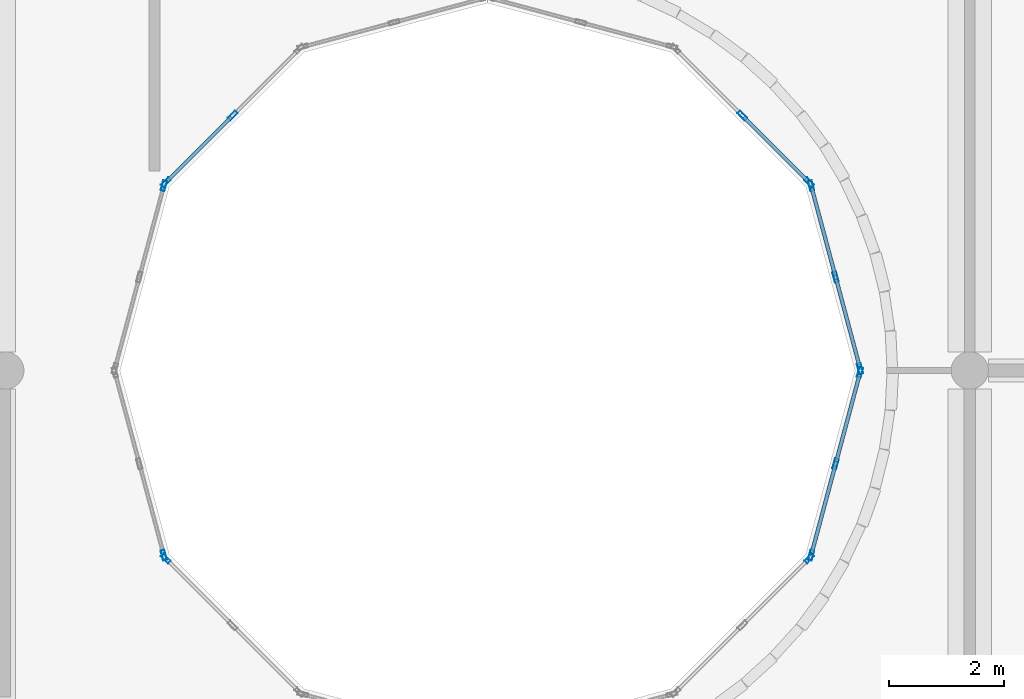
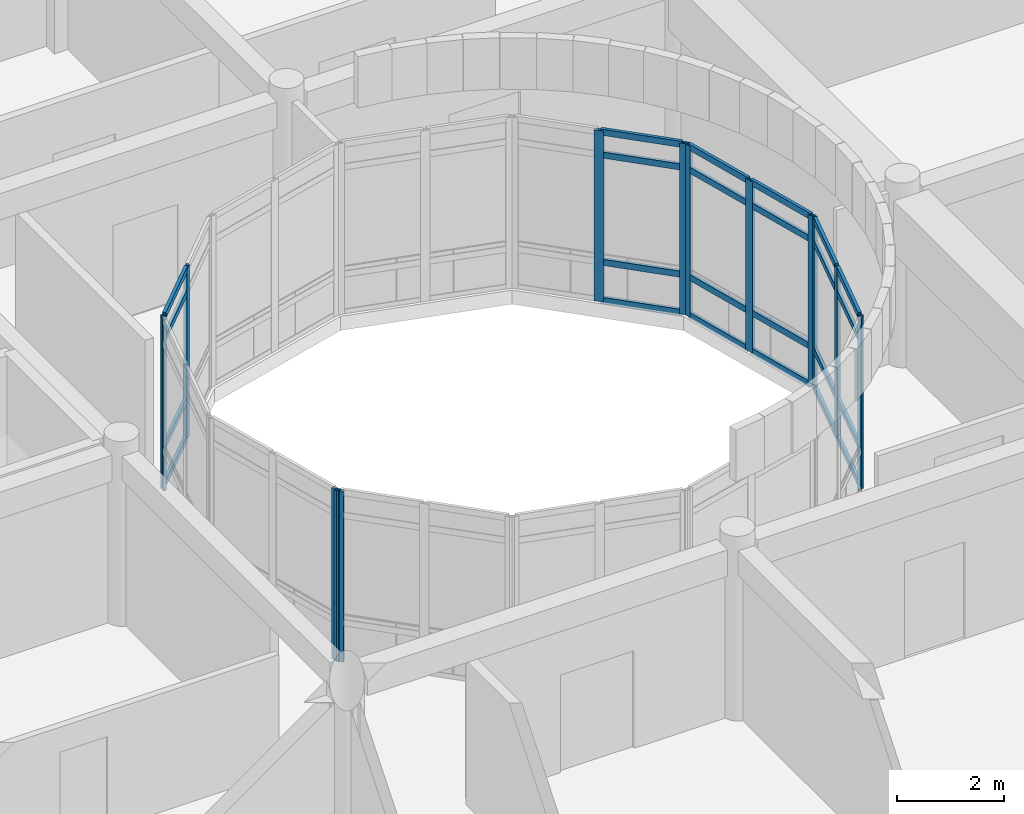
# One storey, part 39 of 119: 38 members, 8 elements without a shape of their own.
"""IFC4 building model written with IfcOpenShell, lengths in metres."""

import ifcopenshell
import ifcopenshell.guid

model = None  # the IFC model being written
_history = None  # IfcOwnerHistory: only IFC2X3 demands one
_inside = {}  # id of a spatial element -> (the spatial element, [elements in it])
_under = {}  # id of a project, library or spatial element -> (it, [spatial elements below it])
_declared = {}  # id of a project -> (the project, [libraries it declares])
_typed = {}  # id of a type object -> (the type object, [elements of that type])
_made_of = {}  # id of a material, layer set ... -> (it, [elements and type objects made of it])


def new_model(schema):
    """Start an empty IFC model of exactly this schema.

    Asked for "IFC4X3", IfcOpenShell would pick the latest addendum, in which some entities
    have other attributes; the version numbers below select the first issue.
    IFC2X3 requires an IfcOwnerHistory on every rooted entity: one is made here for all.
    """
    global model, _history
    if schema == "IFC4X3":
        model = ifcopenshell.file(schema_version=(4, 3, 0, 0))
    else:
        model = ifcopenshell.file(schema=schema)
    _inside.clear()
    _under.clear()
    _declared.clear()
    _typed.clear()
    _made_of.clear()
    _history = None
    if model.schema == "IFC2X3":
        org = make("IfcOrganization", Name="unknown")
        user = make(
            "IfcPersonAndOrganization",
            ThePerson=make("IfcPerson", FamilyName="unknown"),
            TheOrganization=org,
        )
        app = make(
            "IfcApplication",
            ApplicationDeveloper=org,
            Version="unknown",
            ApplicationFullName="unknown",
            ApplicationIdentifier="unknown",
        )
        _history = make(
            "IfcOwnerHistory",
            OwningUser=user,
            OwningApplication=app,
            ChangeAction="ADDED",
            CreationDate=0,
        )
    return model


def make(cls, **values):
    """One entity of the class cls with the attributes given. An attribute that is None is left unset."""
    return model.create_entity(
        cls, **{name: value for name, value in values.items() if value is not None}
    )


def rooted(cls, **values):
    """An entity with a GlobalId (a new one), such as an element, a storey or a relation."""
    return make(cls, GlobalId=ifcopenshell.guid.new(), OwnerHistory=_history, **values)


def si_unit(unit_type, name, prefix=None):
    """IfcSIUnit, for example si_unit("LENGTHUNIT", "METRE", prefix="MILLI")."""
    return make("IfcSIUnit", UnitType=unit_type, Prefix=prefix, Name=name)


def assignment(units):
    """IfcUnitAssignment: the units of a project."""
    return None if units is None else make("IfcUnitAssignment", Units=units)


def point(xyz):
    """IfcCartesianPoint."""
    return None if xyz is None else make("IfcCartesianPoint", Coordinates=xyz)


def direction(xyz):
    """IfcDirection."""
    return None if xyz is None else make("IfcDirection", DirectionRatios=xyz)


def frame(location, z_axis=None, x_axis=None):
    """IfcAxis2Placement3D, a coordinate frame: its origin and axes. An axis left out is left unset."""
    return make(
        "IfcAxis2Placement3D",
        Location=point(location),
        Axis=direction(z_axis),
        RefDirection=direction(x_axis),
    )


def frame_2d(location, x_axis=None):
    """IfcAxis2Placement2D, a coordinate frame in the plane: its origin and x axis."""
    return make(
        "IfcAxis2Placement2D", Location=point(location), RefDirection=direction(x_axis)
    )


def origin():
    """The frame at (0, 0, 0) with its axes left unset."""
    return frame((0.0, 0.0, 0.0))


def origin_2d():
    """The frame at (0, 0) in the plane with its x axis left unset."""
    return frame_2d((0.0, 0.0))


def place(relative_to, where):
    """IfcLocalPlacement: puts the frame where relative to a parent placement (None: the world)."""
    return make(
        "IfcLocalPlacement", PlacementRelTo=relative_to, RelativePlacement=where
    )


def context(
    kind, dimensions, precision=None, world=None, true_north=None, identifier=None
):
    """IfcGeometricRepresentationContext, for example the 3D "Model" context."""
    return make(
        "IfcGeometricRepresentationContext",
        ContextIdentifier=identifier,
        ContextType=kind,
        CoordinateSpaceDimension=dimensions,
        Precision=precision,
        WorldCoordinateSystem=world,
        TrueNorth=true_north,
    )


def subcontext(parent, identifier, kind, view, scale=None):
    """IfcGeometricRepresentationSubContext, for example "Body" below "Model"."""
    return make(
        "IfcGeometricRepresentationSubContext",
        ContextIdentifier=identifier,
        ContextType=kind,
        ParentContext=parent,
        TargetScale=scale,
        TargetView=view,
    )


def project(units=None, contexts=None):
    """IfcProject with its units and contexts."""
    return rooted(
        "IfcProject",
        Name="project",
        RepresentationContexts=contexts,
        UnitsInContext=assignment(units),
    )


def spatial(cls, under=None, at=None, **own):
    """A site, building, storey or space (cls), placed at a placement, below another one or the project."""
    s = rooted(cls, ObjectPlacement=at, **own)
    if under is not None:
        _under.setdefault(under.id(), (under, []))[1].append(s)
    return s


def profile(cls, at=None, kind="AREA", **sizes):
    """A parametric profile (cls). Its sizes go by their IFC names, for example OverallWidth=200.0."""
    return make(cls, ProfileType=kind, Position=at, **sizes)


def hollow_rectangle(**sizes):
    """IfcRectangleHollowProfileDef."""
    return profile("IfcRectangleHollowProfileDef", **sizes)


def extrude(swept, where, along, depth):
    """IfcExtrudedAreaSolid: the profile swept, set in the frame where, extruded along a direction by depth."""
    return make(
        "IfcExtrudedAreaSolid",
        SweptArea=swept,
        Position=where,
        ExtrudedDirection=direction(along),
        Depth=depth,
    )


def shape(context_of_items, identifier, shape_type, items):
    """IfcShapeRepresentation: the items that make up one representation, for example the "Body"."""
    return make(
        "IfcShapeRepresentation",
        ContextOfItems=context_of_items,
        RepresentationIdentifier=identifier,
        RepresentationType=shape_type,
        Items=items,
    )


def material(Name=None, Category=None):
    """IfcMaterial."""
    return make("IfcMaterial", Name=Name, Category=Category)


def layer(
    of_material, thickness, ventilated=None, Name=None, Category=None, Priority=None
):
    """IfcMaterialLayer: one layer of a wall or slab, of a material (None: an air gap)."""
    return make(
        "IfcMaterialLayer",
        Material=of_material,
        LayerThickness=thickness,
        IsVentilated=ventilated,
        Name=Name,
        Category=Category,
        Priority=Priority,
    )


def layer_set(layers, Name=None):
    """IfcMaterialLayerSet."""
    return make("IfcMaterialLayerSet", MaterialLayers=layers, LayerSetName=Name)


def material_profile(
    of_material, cross_section, Name=None, Category=None, Priority=None
):
    """IfcMaterialProfile: a cross section and its material."""
    return make(
        "IfcMaterialProfile",
        Name=Name,
        Material=of_material,
        Profile=cross_section,
        Priority=Priority,
        Category=Category,
    )


def profile_set(profiles, Name=None, composite=None):
    """IfcMaterialProfileSet."""
    return make(
        "IfcMaterialProfileSet",
        Name=Name,
        MaterialProfiles=profiles,
        CompositeProfile=composite,
    )


def made_of(thing, what):
    """Note that an element or type object is made of a material, layer set ...; save() writes the relation."""
    if what is not None:
        _made_of.setdefault(what.id(), (what, []))[1].append(thing)
    return thing


def type_object(cls, material=None, **own):
    """A type object (cls), such as IfcWallType, which elements share."""
    return made_of(rooted(cls, **own), material)


def element(
    cls,
    number,
    at=None,
    inside=None,
    cuts=None,
    type_object=None,
    material=None,
    context=None,
    identifier="Body",
    shape_type=None,
    held_by="IfcProductDefinitionShape",
    body=None,
    shapes=None,
    **own,
):
    """One element of the class cls, such as IfcWall. Its Tag is "e" and its number.

    at: its placement. inside: the storey or other place that contains it. cuts: it is an
    opening in that element (IfcRelVoidsElement). A single representation is given by context,
    identifier, shape_type and body (its items); several are given by shapes. held_by: the class
    of the entity that holds the representations. save() writes the other relations.
    """
    e = rooted(cls, Tag="e%d" % number, ObjectPlacement=at, **own)
    if body is not None:
        shapes = [shape(context, identifier, shape_type, body)]
    if shapes is not None:
        e.Representation = make(held_by, Representations=shapes)
    if inside is not None:
        _inside.setdefault(inside.id(), (inside, []))[1].append(e)
    if cuts is not None:
        rooted(
            "IfcRelVoidsElement", RelatingBuildingElement=cuts, RelatedOpeningElement=e
        )
    if type_object is not None:
        _typed.setdefault(type_object.id(), (type_object, []))[1].append(e)
    return made_of(e, material)


def aggregate(whole, parts):
    """IfcRelAggregates: a whole, such as a stair, and the parts it consists of."""
    return rooted("IfcRelAggregates", RelatingObject=whole, RelatedObjects=parts)


def save(model, path):
    """Write the relations noted so far, then the file.

    IfcRelAggregates (storeys below a building ...), IfcRelContainedInSpatialStructure (elements
    in a storey), IfcRelDefinesByType, IfcRelAssociatesMaterial and IfcRelDeclares: one each for
    every whole, place, type object, material and project.
    """
    for whole, parts in _under.values():
        aggregate(whole, parts)
    for where, things in _inside.values():
        rooted(
            "IfcRelContainedInSpatialStructure",
            RelatedElements=things,
            RelatingStructure=where,
        )
    for kind, things in _typed.values():
        rooted("IfcRelDefinesByType", RelatedObjects=things, RelatingType=kind)
    for what, things in _made_of.values():
        rooted("IfcRelAssociatesMaterial", RelatedObjects=things, RelatingMaterial=what)
    for by, libraries in _declared.values():
        rooted("IfcRelDeclares", RelatingContext=by, RelatedDefinitions=libraries)
    model.write(path)


model = new_model("IFC4")

# Units and contexts
model_context = context("Model", 3, precision=1e-05, world=origin(), true_north=direction((0.0, 1.0)))
body_context = subcontext(model_context, "Body", "Model", "MODEL_VIEW")
ifc_project = project(units=[si_unit("LENGTHUNIT", "METRE"), si_unit("AREAUNIT", "SQUARE_METRE"), si_unit("VOLUMEUNIT", "CUBIC_METRE"), si_unit("PLANEANGLEUNIT", "RADIAN"), si_unit("MASSUNIT", "GRAM", prefix="KILO")], contexts=[model_context])

# Site, building, storey
site_placement = place(None, origin())
site = spatial("IfcSite", under=ifc_project, at=site_placement, CompositionType="ELEMENT")
building_placement = place(site_placement, origin())
building = spatial("IfcBuilding", under=site, at=building_placement, Name="Bramfleet General Hospital", CompositionType="ELEMENT")
storey_placement = place(building_placement, frame((0.0, 0.0, 14.39990234375)))
storey = spatial("IfcBuildingStorey", under=building, at=storey_placement, Name="L03", CompositionType="ELEMENT", Elevation=14.39990234375)

# Curtain wall, member
ifc_material_1 = material(Name="Anodised aluminium and low-E triple glazing", Category="aluminium")
ifc_layer_1 = layer(ifc_material_1, 0.179931640625, Name="CWT-CW-17")
ifc_layer_set_1 = layer_set([ifc_layer_1], Name="Anodised aluminium and low-E triple glazing")
curtain_wall_type_1 = type_object("IfcCurtainWallType", Name="CWT-CW-17", PredefinedType="USERDEFINED", material=ifc_layer_set_1)
curtain_wall_1_placement = place(storey_placement, origin())
curtain_wall_1 = element("IfcCurtainWall", 1, at=curtain_wall_1_placement, inside=storey, type_object=curtain_wall_type_1, Name="L03 East Laboratory Light Court Curtain Wall 1.1", ObjectType="Stick curtain wall", PredefinedType="USERDEFINED")
ifc_material_2 = material(Name="Anodised aluminium EN AW-6060", Category="aluminium")
ifc_material_profile_1 = material_profile(ifc_material_2, hollow_rectangle(XDim=0.070068359375, YDim=0.179931640625, WallThickness=0.00390625, at=origin_2d()), Name="ALU 180x70x4.0")
ifc_profile_set_1 = profile_set([ifc_material_profile_1], Name="Anodised aluminium EN AW-6060")
member_type_1 = type_object("IfcMemberType", Name="CWM-ALU180", PredefinedType="MULLION", material=ifc_profile_set_1)
member_1_placement = place(storey_placement, frame((111.9619140625, 63.98388671875, 0.0), z_axis=(0.0, 0.0, 1.0), x_axis=(0.965913556273, 0.258864833085, 0.0)))
member_1 = element("IfcMember", 2, at=member_1_placement, type_object=member_type_1, Name="CW-17 mullion 3", PredefinedType="MULLION", context=body_context, shape_type="SweptSolid", body=[
    extrude(hollow_rectangle(XDim=0.070068359375, YDim=0.179931640625, WallThickness=0.00390625, at=origin_2d()), origin(), (0.0, 0.0, 1.0), 3.89013671875),
])
aggregate(curtain_wall_1, [member_1])

ifc_layer_2 = layer(ifc_material_1, 0.179931640625, Name="CWT-CW-18")
ifc_layer_set_2 = layer_set([ifc_layer_2], Name="Anodised aluminium and low-E triple glazing")
curtain_wall_type_2 = type_object("IfcCurtainWallType", Name="CWT-CW-18", PredefinedType="USERDEFINED", material=ifc_layer_set_2)
curtain_wall_2_placement = place(storey_placement, origin())
curtain_wall_2 = element("IfcCurtainWall", 3, at=curtain_wall_2_placement, inside=storey, type_object=curtain_wall_type_2, Name="L03 East Laboratory Light Court Curtain Wall 2.1", ObjectType="Stick curtain wall", PredefinedType="USERDEFINED")
member_2_placement = place(storey_placement, frame((111.995849609375, 63.92529296875, 0.0), z_axis=(0.0, 0.0, 1.0), x_axis=(0.707106781187, 0.707106781187, 0.0)))
member_2 = element("IfcMember", 4, at=member_2_placement, type_object=member_type_1, Name="CW-18 mullion 1", PredefinedType="MULLION", context=body_context, shape_type="SweptSolid", body=[
    extrude(hollow_rectangle(XDim=0.070068359375, YDim=0.179931640625, WallThickness=0.00390625, at=origin_2d()), origin(), (0.0, 0.0, 1.0), 3.89013671875),
])
aggregate(curtain_wall_2, [member_2])

ifc_layer_3 = layer(ifc_material_1, 0.179931640625, Name="CWT-CW-13")
ifc_layer_set_3 = layer_set([ifc_layer_3], Name="Anodised aluminium and low-E triple glazing")
curtain_wall_type_3 = type_object("IfcCurtainWallType", Name="CWT-CW-13", PredefinedType="USERDEFINED", material=ifc_layer_set_3)
curtain_wall_3_placement = place(storey_placement, origin())
curtain_wall_3 = element("IfcCurtainWall", 5, at=curtain_wall_3_placement, inside=storey, type_object=curtain_wall_type_3, Name="L03 East Laboratory Light Court Curtain Wall 5.1", ObjectType="Stick curtain wall", PredefinedType="USERDEFINED")
member_3_placement = place(storey_placement, frame((123.204345703125, 63.92529296875, 0.0), z_axis=(0.0, 0.0, 1.0), x_axis=(-0.707106781187, 0.707106781187, 0.0)))
member_3 = element("IfcMember", 6, at=member_3_placement, type_object=member_type_1, Name="CW-13 mullion 3", PredefinedType="MULLION", context=body_context, shape_type="SweptSolid", body=[
    extrude(hollow_rectangle(XDim=0.070068359375, YDim=0.179931640625, WallThickness=0.00390625, at=origin_2d()), origin(), (0.0, 0.0, 1.0), 3.89013671875),
])
aggregate(curtain_wall_3, [member_3])

# Curtain wall, members
ifc_layer_4 = layer(ifc_material_1, 0.179931640625, Name="CWT-CW-14")
ifc_layer_set_4 = layer_set([ifc_layer_4], Name="Anodised aluminium and low-E triple glazing")
curtain_wall_type_4 = type_object("IfcCurtainWallType", Name="CWT-CW-14", PredefinedType="USERDEFINED", material=ifc_layer_set_4)
curtain_wall_4_placement = place(storey_placement, origin())
curtain_wall_4 = element("IfcCurtainWall", 7, at=curtain_wall_4_placement, inside=storey, type_object=curtain_wall_type_4, Name="L03 East Laboratory Light Court Curtain Wall 6.1", ObjectType="Stick curtain wall", PredefinedType="USERDEFINED")
member_4_placement = place(storey_placement, frame((123.238037109375, 63.98388671875, 0.0), z_axis=(0.0, 0.0, 1.0), x_axis=(-0.965913556273, 0.258864833085, 0.0)))
member_4 = element("IfcMember", 8, at=member_4_placement, type_object=member_type_1, Name="CW-14 mullion 1", PredefinedType="MULLION", context=body_context, shape_type="SweptSolid", body=[
    extrude(hollow_rectangle(XDim=0.070068359375, YDim=0.179931640625, WallThickness=0.00390625, at=origin_2d()), origin(), (0.0, 0.0, 1.0), 3.89013671875),
])
member_5_placement = place(storey_placement, frame((123.66455078125, 65.574951171875, 0.0), z_axis=(0.0, 0.0, 1.0), x_axis=(-0.965913556273, 0.258864833085, 0.0)))
member_5 = element("IfcMember", 9, at=member_5_placement, type_object=member_type_1, Name="CW-14 mullion 2", PredefinedType="MULLION", context=body_context, shape_type="SweptSolid", body=[
    extrude(hollow_rectangle(XDim=0.070068359375, YDim=0.179931640625, WallThickness=0.00390625, at=origin_2d()), origin(), (0.0, 0.0, 1.0), 3.89013671875),
])
member_6_placement = place(storey_placement, frame((124.0908203125, 67.166259765625, 0.0), z_axis=(0.0, 0.0, 1.0), x_axis=(-0.965913556273, 0.258864833085, 0.0)))
member_6 = element("IfcMember", 10, at=member_6_placement, type_object=member_type_1, Name="CW-14 mullion 3", PredefinedType="MULLION", context=body_context, shape_type="SweptSolid", body=[
    extrude(hollow_rectangle(XDim=0.070068359375, YDim=0.179931640625, WallThickness=0.00390625, at=origin_2d()), origin(), (0.0, 0.0, 1.0), 3.89013671875),
])

ifc_layer_5 = layer(ifc_material_1, 0.179931640625, Name="CWT-CW-15")
ifc_layer_set_5 = layer_set([ifc_layer_5], Name="Anodised aluminium and low-E triple glazing")
curtain_wall_type_5 = type_object("IfcCurtainWallType", Name="CWT-CW-15", PredefinedType="USERDEFINED", material=ifc_layer_set_5)
curtain_wall_5_placement = place(storey_placement, origin())
curtain_wall_5 = element("IfcCurtainWall", 11, at=curtain_wall_5_placement, inside=storey, type_object=curtain_wall_type_5, Name="L03 East Laboratory Light Court Curtain Wall 7.1", ObjectType="Stick curtain wall", PredefinedType="USERDEFINED")
member_7_placement = place(storey_placement, frame((124.0908203125, 67.23388671875, 0.0), z_axis=(0.0, 0.0, 1.0), x_axis=(-0.965913556273, -0.258864833085, 0.0)))
member_7 = element("IfcMember", 12, at=member_7_placement, type_object=member_type_1, Name="CW-15 mullion 1", PredefinedType="MULLION", context=body_context, shape_type="SweptSolid", body=[
    extrude(hollow_rectangle(XDim=0.070068359375, YDim=0.179931640625, WallThickness=0.00390625, at=origin_2d()), origin(), (0.0, 0.0, 1.0), 3.89013671875),
])
member_8_placement = place(storey_placement, frame((123.66455078125, 68.824951171875, 0.0), z_axis=(0.0, 0.0, 1.0), x_axis=(-0.965913556273, -0.258864833085, 0.0)))
member_8 = element("IfcMember", 13, at=member_8_placement, type_object=member_type_1, Name="CW-15 mullion 2", PredefinedType="MULLION", context=body_context, shape_type="SweptSolid", body=[
    extrude(hollow_rectangle(XDim=0.070068359375, YDim=0.179931640625, WallThickness=0.00390625, at=origin_2d()), origin(), (0.0, 0.0, 1.0), 3.89013671875),
])
member_9_placement = place(storey_placement, frame((123.238037109375, 70.416259765625, 0.0), z_axis=(0.0, 0.0, 1.0), x_axis=(-0.965913556273, -0.258864833085, 0.0)))
member_9 = element("IfcMember", 14, at=member_9_placement, type_object=member_type_1, Name="CW-15 mullion 3", PredefinedType="MULLION", context=body_context, shape_type="SweptSolid", body=[
    extrude(hollow_rectangle(XDim=0.070068359375, YDim=0.179931640625, WallThickness=0.00390625, at=origin_2d()), origin(), (0.0, 0.0, 1.0), 3.89013671875),
])

ifc_layer_6 = layer(ifc_material_1, 0.179931640625, Name="CWT-CW-16")
ifc_layer_set_6 = layer_set([ifc_layer_6], Name="Anodised aluminium and low-E triple glazing")
curtain_wall_type_6 = type_object("IfcCurtainWallType", Name="CWT-CW-16", PredefinedType="USERDEFINED", material=ifc_layer_set_6)
curtain_wall_6_placement = place(storey_placement, origin())
curtain_wall_6 = element("IfcCurtainWall", 15, at=curtain_wall_6_placement, inside=storey, type_object=curtain_wall_type_6, Name="L03 East Laboratory Light Court Curtain Wall 8.1", ObjectType="Stick curtain wall", PredefinedType="USERDEFINED")
member_10_placement = place(storey_placement, frame((123.204345703125, 70.474853515625, 0.0), z_axis=(0.0, 0.0, 1.0), x_axis=(-0.707106781187, -0.707106781187, 0.0)))
member_10 = element("IfcMember", 16, at=member_10_placement, type_object=member_type_1, Name="CW-16 mullion 1", PredefinedType="MULLION", context=body_context, shape_type="SweptSolid", body=[
    extrude(hollow_rectangle(XDim=0.070068359375, YDim=0.179931640625, WallThickness=0.00390625, at=origin_2d()), origin(), (0.0, 0.0, 1.0), 3.89013671875),
])
member_11_placement = place(storey_placement, frame((122.03955078125, 71.639404296875, 0.0), z_axis=(0.0, 0.0, 1.0), x_axis=(-0.707106781187, -0.707106781187, 0.0)))
member_11 = element("IfcMember", 17, at=member_11_placement, type_object=member_type_1, Name="CW-16 mullion 2", PredefinedType="MULLION", context=body_context, shape_type="SweptSolid", body=[
    extrude(hollow_rectangle(XDim=0.070068359375, YDim=0.179931640625, WallThickness=0.00390625, at=origin_2d()), origin(), (0.0, 0.0, 1.0), 3.89013671875),
])

ifc_layer_7 = layer(ifc_material_1, 0.179931640625, Name="CWT-CW-11")
ifc_layer_set_7 = layer_set([ifc_layer_7], Name="Anodised aluminium and low-E triple glazing")
curtain_wall_type_7 = type_object("IfcCurtainWallType", Name="CWT-CW-11", PredefinedType="USERDEFINED", material=ifc_layer_set_7)
curtain_wall_7_placement = place(storey_placement, origin())
curtain_wall_7 = element("IfcCurtainWall", 18, at=curtain_wall_7_placement, inside=storey, type_object=curtain_wall_type_7, Name="L03 East Laboratory Light Court Curtain Wall 11.1", ObjectType="Stick curtain wall", PredefinedType="USERDEFINED")
member_12_placement = place(storey_placement, frame((113.160400390625, 71.639404296875, 0.0), z_axis=(0.0, 0.0, 1.0), x_axis=(0.707106781187, -0.707106781187, 0.0)))
member_12 = element("IfcMember", 19, at=member_12_placement, type_object=member_type_1, Name="CW-11 mullion 2", PredefinedType="MULLION", context=body_context, shape_type="SweptSolid", body=[
    extrude(hollow_rectangle(XDim=0.070068359375, YDim=0.179931640625, WallThickness=0.00390625, at=origin_2d()), origin(), (0.0, 0.0, 1.0), 3.89013671875),
])
member_13_placement = place(storey_placement, frame((111.995849609375, 70.474853515625, 0.0), z_axis=(0.0, 0.0, 1.0), x_axis=(0.707106781187, -0.707106781187, 0.0)))
member_13 = element("IfcMember", 20, at=member_13_placement, type_object=member_type_1, Name="CW-11 mullion 3", PredefinedType="MULLION", context=body_context, shape_type="SweptSolid", body=[
    extrude(hollow_rectangle(XDim=0.070068359375, YDim=0.179931640625, WallThickness=0.00390625, at=origin_2d()), origin(), (0.0, 0.0, 1.0), 3.89013671875),
])

# Curtain wall, member
ifc_layer_8 = layer(ifc_material_1, 0.179931640625, Name="CWT-CW-12")
ifc_layer_set_8 = layer_set([ifc_layer_8], Name="Anodised aluminium and low-E triple glazing")
curtain_wall_type_8 = type_object("IfcCurtainWallType", Name="CWT-CW-12", PredefinedType="USERDEFINED", material=ifc_layer_set_8)
curtain_wall_8_placement = place(storey_placement, origin())
curtain_wall_8 = element("IfcCurtainWall", 21, at=curtain_wall_8_placement, inside=storey, type_object=curtain_wall_type_8, Name="L03 East Laboratory Light Court Curtain Wall 12.1", ObjectType="Stick curtain wall", PredefinedType="USERDEFINED")
member_14_placement = place(storey_placement, frame((111.9619140625, 70.416259765625, 0.0), z_axis=(0.0, 0.0, 1.0), x_axis=(0.965913556273, -0.258864833085, 0.0)))
member_14 = element("IfcMember", 22, at=member_14_placement, type_object=member_type_1, Name="CW-12 mullion 1", PredefinedType="MULLION", context=body_context, shape_type="SweptSolid", body=[
    extrude(hollow_rectangle(XDim=0.070068359375, YDim=0.179931640625, WallThickness=0.00390625, at=origin_2d()), origin(), (0.0, 0.0, 1.0), 3.89013671875),
])
aggregate(curtain_wall_8, [member_14])

# Member
ifc_material_profile_2 = material_profile(ifc_material_2, hollow_rectangle(XDim=0.06494140625, YDim=0.139892578125, WallThickness=0.00390625, at=origin_2d()), Name="ALU 140x65x4.0")
ifc_profile_set_2 = profile_set([ifc_material_profile_2], Name="Anodised aluminium EN AW-6060")
member_type_2 = type_object("IfcMemberType", Name="CWT-ALU140", PredefinedType="USERDEFINED", material=ifc_profile_set_2)
member_15_placement = place(storey_placement, frame((123.2470703125, 64.017578125, 0.03271484375), z_axis=(0.258924323505, 0.965897610877, 0.0), x_axis=(-0.965897610877, 0.258924323505, 0.0)))
member_15 = element("IfcMember", 23, at=member_15_placement, type_object=member_type_2, Name="CW-14 transom 1.1", ObjectType="TRANSOM", PredefinedType="USERDEFINED", context=body_context, shape_type="SweptSolid", body=[
    extrude(hollow_rectangle(XDim=0.06494140625, YDim=0.139892578125, WallThickness=0.00390625, at=origin_2d()), origin(), (0.0, 0.0, 1.0), 1.577392578125),
])

member_16_placement = place(storey_placement, frame((123.2470703125, 64.017578125, 0.900146484375), z_axis=(0.258924323505, 0.965897610877, 0.0), x_axis=(-0.965897610877, 0.258924323505, 0.0)))
member_16 = element("IfcMember", 24, at=member_16_placement, type_object=member_type_2, Name="CW-14 transom 1.2", ObjectType="TRANSOM", PredefinedType="USERDEFINED", context=body_context, shape_type="SweptSolid", body=[
    extrude(hollow_rectangle(XDim=0.06494140625, YDim=0.139892578125, WallThickness=0.00390625, at=origin_2d()), origin(), (0.0, 0.0, 1.0), 1.577392578125),
])

member_17_placement = place(storey_placement, frame((123.2470703125, 64.017578125, 3.340087890625), z_axis=(0.258924323505, 0.965897610877, 0.0), x_axis=(-0.965897610877, 0.258924323505, 0.0)))
member_17 = element("IfcMember", 25, at=member_17_placement, type_object=member_type_2, Name="CW-14 transom 1.3", ObjectType="TRANSOM", PredefinedType="USERDEFINED", context=body_context, shape_type="SweptSolid", body=[
    extrude(hollow_rectangle(XDim=0.06494140625, YDim=0.139892578125, WallThickness=0.00390625, at=origin_2d()), origin(), (0.0, 0.0, 1.0), 1.577392578125),
])

member_18_placement = place(storey_placement, frame((123.2470703125, 64.017578125, 3.857666015625), z_axis=(0.258924323505, 0.965897610877, 0.0), x_axis=(-0.965897610877, 0.258924323505, 0.0)))
member_18 = element("IfcMember", 26, at=member_18_placement, type_object=member_type_2, Name="CW-14 transom 1.4", ObjectType="TRANSOM", PredefinedType="USERDEFINED", context=body_context, shape_type="SweptSolid", body=[
    extrude(hollow_rectangle(XDim=0.06494140625, YDim=0.139892578125, WallThickness=0.00390625, at=origin_2d()), origin(), (0.0, 0.0, 1.0), 1.577392578125),
])

member_19_placement = place(storey_placement, frame((123.673583984375, 65.60888671875, 0.03271484375), z_axis=(0.258818617489, 0.965925940868, 0.0), x_axis=(-0.965925940868, 0.258818617489, 0.0)))
member_19 = element("IfcMember", 27, at=member_19_placement, type_object=member_type_2, Name="CW-14 transom 2.1", ObjectType="TRANSOM", PredefinedType="USERDEFINED", context=body_context, shape_type="SweptSolid", body=[
    extrude(hollow_rectangle(XDim=0.06494140625, YDim=0.139892578125, WallThickness=0.00390625, at=origin_2d()), origin(), (0.0, 0.0, 1.0), 1.5771484375),
])

member_20_placement = place(storey_placement, frame((123.673583984375, 65.60888671875, 0.900146484375), z_axis=(0.258818617489, 0.965925940868, 0.0), x_axis=(-0.965925940868, 0.258818617489, 0.0)))
member_20 = element("IfcMember", 28, at=member_20_placement, type_object=member_type_2, Name="CW-14 transom 2.2", ObjectType="TRANSOM", PredefinedType="USERDEFINED", context=body_context, shape_type="SweptSolid", body=[
    extrude(hollow_rectangle(XDim=0.06494140625, YDim=0.139892578125, WallThickness=0.00390625, at=origin_2d()), origin(), (0.0, 0.0, 1.0), 1.5771484375),
])

member_21_placement = place(storey_placement, frame((123.673583984375, 65.60888671875, 3.340087890625), z_axis=(0.258818617489, 0.965925940868, 0.0), x_axis=(-0.965925940868, 0.258818617489, 0.0)))
member_21 = element("IfcMember", 29, at=member_21_placement, type_object=member_type_2, Name="CW-14 transom 2.3", ObjectType="TRANSOM", PredefinedType="USERDEFINED", context=body_context, shape_type="SweptSolid", body=[
    extrude(hollow_rectangle(XDim=0.06494140625, YDim=0.139892578125, WallThickness=0.00390625, at=origin_2d()), origin(), (0.0, 0.0, 1.0), 1.5771484375),
])

member_22_placement = place(storey_placement, frame((123.673583984375, 65.60888671875, 3.857666015625), z_axis=(0.258818617489, 0.965925940868, 0.0), x_axis=(-0.965925940868, 0.258818617489, 0.0)))
member_22 = element("IfcMember", 30, at=member_22_placement, type_object=member_type_2, Name="CW-14 transom 2.4", ObjectType="TRANSOM", PredefinedType="USERDEFINED", context=body_context, shape_type="SweptSolid", body=[
    extrude(hollow_rectangle(XDim=0.06494140625, YDim=0.139892578125, WallThickness=0.00390625, at=origin_2d()), origin(), (0.0, 0.0, 1.0), 1.5771484375),
])

aggregate(curtain_wall_4, [member_4, member_5, member_6, member_15, member_16, member_17, member_18, member_19, member_20, member_21, member_22])

member_23_placement = place(storey_placement, frame((124.081787109375, 67.267578125, 0.03271484375), z_axis=(-0.25877992417, 0.965936307862, 0.0), x_axis=(-0.965936307862, -0.25877992417, 0.0)))
member_23 = element("IfcMember", 31, at=member_23_placement, type_object=member_type_2, Name="CW-15 transom 1.1", ObjectType="TRANSOM", PredefinedType="USERDEFINED", context=body_context, shape_type="SweptSolid", body=[
    extrude(hollow_rectangle(XDim=0.06494140625, YDim=0.139892578125, WallThickness=0.00390625, at=origin_2d()), origin(), (0.0, 0.0, 1.0), 1.577392578125),
])

member_24_placement = place(storey_placement, frame((124.081787109375, 67.267578125, 0.900146484375), z_axis=(-0.25877992417, 0.965936307862, 0.0), x_axis=(-0.965936307862, -0.25877992417, 0.0)))
member_24 = element("IfcMember", 32, at=member_24_placement, type_object=member_type_2, Name="CW-15 transom 1.2", ObjectType="TRANSOM", PredefinedType="USERDEFINED", context=body_context, shape_type="SweptSolid", body=[
    extrude(hollow_rectangle(XDim=0.06494140625, YDim=0.139892578125, WallThickness=0.00390625, at=origin_2d()), origin(), (0.0, 0.0, 1.0), 1.577392578125),
])

member_25_placement = place(storey_placement, frame((124.081787109375, 67.267578125, 3.340087890625), z_axis=(-0.25877992417, 0.965936307862, 0.0), x_axis=(-0.965936307862, -0.25877992417, 0.0)))
member_25 = element("IfcMember", 33, at=member_25_placement, type_object=member_type_2, Name="CW-15 transom 1.3", ObjectType="TRANSOM", PredefinedType="USERDEFINED", context=body_context, shape_type="SweptSolid", body=[
    extrude(hollow_rectangle(XDim=0.06494140625, YDim=0.139892578125, WallThickness=0.00390625, at=origin_2d()), origin(), (0.0, 0.0, 1.0), 1.577392578125),
])

member_26_placement = place(storey_placement, frame((124.081787109375, 67.267578125, 3.857666015625), z_axis=(-0.25877992417, 0.965936307862, 0.0), x_axis=(-0.965936307862, -0.25877992417, 0.0)))
member_26 = element("IfcMember", 34, at=member_26_placement, type_object=member_type_2, Name="CW-15 transom 1.4", ObjectType="TRANSOM", PredefinedType="USERDEFINED", context=body_context, shape_type="SweptSolid", body=[
    extrude(hollow_rectangle(XDim=0.06494140625, YDim=0.139892578125, WallThickness=0.00390625, at=origin_2d()), origin(), (0.0, 0.0, 1.0), 1.577392578125),
])

member_27_placement = place(storey_placement, frame((123.655517578125, 68.85888671875, 0.03271484375), z_axis=(-0.258963035312, 0.965887232725, 0.0), x_axis=(-0.965887232725, -0.258963035312, 0.0)))
member_27 = element("IfcMember", 35, at=member_27_placement, type_object=member_type_2, Name="CW-15 transom 2.1", ObjectType="TRANSOM", PredefinedType="USERDEFINED", context=body_context, shape_type="SweptSolid", body=[
    extrude(hollow_rectangle(XDim=0.06494140625, YDim=0.139892578125, WallThickness=0.00390625, at=origin_2d()), origin(), (0.0, 0.0, 1.0), 1.5771484375),
])

member_28_placement = place(storey_placement, frame((123.655517578125, 68.85888671875, 0.900146484375), z_axis=(-0.258963035312, 0.965887232725, 0.0), x_axis=(-0.965887232725, -0.258963035312, 0.0)))
member_28 = element("IfcMember", 36, at=member_28_placement, type_object=member_type_2, Name="CW-15 transom 2.2", ObjectType="TRANSOM", PredefinedType="USERDEFINED", context=body_context, shape_type="SweptSolid", body=[
    extrude(hollow_rectangle(XDim=0.06494140625, YDim=0.139892578125, WallThickness=0.00390625, at=origin_2d()), origin(), (0.0, 0.0, 1.0), 1.5771484375),
])

member_29_placement = place(storey_placement, frame((123.655517578125, 68.85888671875, 3.340087890625), z_axis=(-0.258963035312, 0.965887232725, 0.0), x_axis=(-0.965887232725, -0.258963035312, 0.0)))
member_29 = element("IfcMember", 37, at=member_29_placement, type_object=member_type_2, Name="CW-15 transom 2.3", ObjectType="TRANSOM", PredefinedType="USERDEFINED", context=body_context, shape_type="SweptSolid", body=[
    extrude(hollow_rectangle(XDim=0.06494140625, YDim=0.139892578125, WallThickness=0.00390625, at=origin_2d()), origin(), (0.0, 0.0, 1.0), 1.5771484375),
])

member_30_placement = place(storey_placement, frame((123.655517578125, 68.85888671875, 3.857666015625), z_axis=(-0.258963035312, 0.965887232725, 0.0), x_axis=(-0.965887232725, -0.258963035312, 0.0)))
member_30 = element("IfcMember", 38, at=member_30_placement, type_object=member_type_2, Name="CW-15 transom 2.4", ObjectType="TRANSOM", PredefinedType="USERDEFINED", context=body_context, shape_type="SweptSolid", body=[
    extrude(hollow_rectangle(XDim=0.06494140625, YDim=0.139892578125, WallThickness=0.00390625, at=origin_2d()), origin(), (0.0, 0.0, 1.0), 1.5771484375),
])

aggregate(curtain_wall_5, [member_7, member_8, member_9, member_23, member_24, member_25, member_26, member_27, member_28, member_29, member_30])

member_31_placement = place(storey_placement, frame((123.179443359375, 70.49951171875, 0.03271484375), z_axis=(-0.707106781187, 0.707106781187, 0.0), x_axis=(-0.707106781187, -0.707106781187, 0.0)))
member_31 = element("IfcMember", 39, at=member_31_placement, type_object=member_type_2, Name="CW-16 transom 1.1", ObjectType="TRANSOM", PredefinedType="USERDEFINED", context=body_context, shape_type="SweptSolid", body=[
    extrude(hollow_rectangle(XDim=0.06494140625, YDim=0.139892578125, WallThickness=0.00390625, at=origin_2d()), origin(), (0.0, 0.0, 1.0), 1.5771484375),
])

member_32_placement = place(storey_placement, frame((123.179443359375, 70.49951171875, 0.900146484375), z_axis=(-0.707106781187, 0.707106781187, 0.0), x_axis=(-0.707106781187, -0.707106781187, 0.0)))
member_32 = element("IfcMember", 40, at=member_32_placement, type_object=member_type_2, Name="CW-16 transom 1.2", ObjectType="TRANSOM", PredefinedType="USERDEFINED", context=body_context, shape_type="SweptSolid", body=[
    extrude(hollow_rectangle(XDim=0.06494140625, YDim=0.139892578125, WallThickness=0.00390625, at=origin_2d()), origin(), (0.0, 0.0, 1.0), 1.5771484375),
])

member_33_placement = place(storey_placement, frame((123.179443359375, 70.49951171875, 3.340087890625), z_axis=(-0.707106781187, 0.707106781187, 0.0), x_axis=(-0.707106781187, -0.707106781187, 0.0)))
member_33 = element("IfcMember", 41, at=member_33_placement, type_object=member_type_2, Name="CW-16 transom 1.3", ObjectType="TRANSOM", PredefinedType="USERDEFINED", context=body_context, shape_type="SweptSolid", body=[
    extrude(hollow_rectangle(XDim=0.06494140625, YDim=0.139892578125, WallThickness=0.00390625, at=origin_2d()), origin(), (0.0, 0.0, 1.0), 1.5771484375),
])

member_34_placement = place(storey_placement, frame((123.179443359375, 70.49951171875, 3.857666015625), z_axis=(-0.707106781187, 0.707106781187, 0.0), x_axis=(-0.707106781187, -0.707106781187, 0.0)))
member_34 = element("IfcMember", 42, at=member_34_placement, type_object=member_type_2, Name="CW-16 transom 1.4", ObjectType="TRANSOM", PredefinedType="USERDEFINED", context=body_context, shape_type="SweptSolid", body=[
    extrude(hollow_rectangle(XDim=0.06494140625, YDim=0.139892578125, WallThickness=0.00390625, at=origin_2d()), origin(), (0.0, 0.0, 1.0), 1.5771484375),
])

aggregate(curtain_wall_6, [member_10, member_11, member_31, member_32, member_33, member_34])

member_35_placement = place(storey_placement, frame((113.1357421875, 71.61474609375, 0.03271484375), z_axis=(-0.707106781187, -0.707106781187, 0.0), x_axis=(0.707106781187, -0.707106781187, 0.0)))
member_35 = element("IfcMember", 43, at=member_35_placement, type_object=member_type_2, Name="CW-11 transom 2.1", ObjectType="TRANSOM", PredefinedType="USERDEFINED", context=body_context, shape_type="SweptSolid", body=[
    extrude(hollow_rectangle(XDim=0.06494140625, YDim=0.139892578125, WallThickness=0.00390625, at=origin_2d()), origin(), (0.0, 0.0, 1.0), 1.5771484375),
])

member_36_placement = place(storey_placement, frame((113.1357421875, 71.61474609375, 0.900146484375), z_axis=(-0.707106781187, -0.707106781187, 0.0), x_axis=(0.707106781187, -0.707106781187, 0.0)))
member_36 = element("IfcMember", 44, at=member_36_placement, type_object=member_type_2, Name="CW-11 transom 2.2", ObjectType="TRANSOM", PredefinedType="USERDEFINED", context=body_context, shape_type="SweptSolid", body=[
    extrude(hollow_rectangle(XDim=0.06494140625, YDim=0.139892578125, WallThickness=0.00390625, at=origin_2d()), origin(), (0.0, 0.0, 1.0), 1.5771484375),
])

member_37_placement = place(storey_placement, frame((113.1357421875, 71.61474609375, 3.340087890625), z_axis=(-0.707106781187, -0.707106781187, 0.0), x_axis=(0.707106781187, -0.707106781187, 0.0)))
member_37 = element("IfcMember", 45, at=member_37_placement, type_object=member_type_2, Name="CW-11 transom 2.3", ObjectType="TRANSOM", PredefinedType="USERDEFINED", context=body_context, shape_type="SweptSolid", body=[
    extrude(hollow_rectangle(XDim=0.06494140625, YDim=0.139892578125, WallThickness=0.00390625, at=origin_2d()), origin(), (0.0, 0.0, 1.0), 1.5771484375),
])

member_38_placement = place(storey_placement, frame((113.1357421875, 71.61474609375, 3.857666015625), z_axis=(-0.707106781187, -0.707106781187, 0.0), x_axis=(0.707106781187, -0.707106781187, 0.0)))
member_38 = element("IfcMember", 46, at=member_38_placement, type_object=member_type_2, Name="CW-11 transom 2.4", ObjectType="TRANSOM", PredefinedType="USERDEFINED", context=body_context, shape_type="SweptSolid", body=[
    extrude(hollow_rectangle(XDim=0.06494140625, YDim=0.139892578125, WallThickness=0.00390625, at=origin_2d()), origin(), (0.0, 0.0, 1.0), 1.5771484375),
])

aggregate(curtain_wall_7, [member_12, member_13, member_35, member_36, member_37, member_38])

save(model, "model.ifc")
